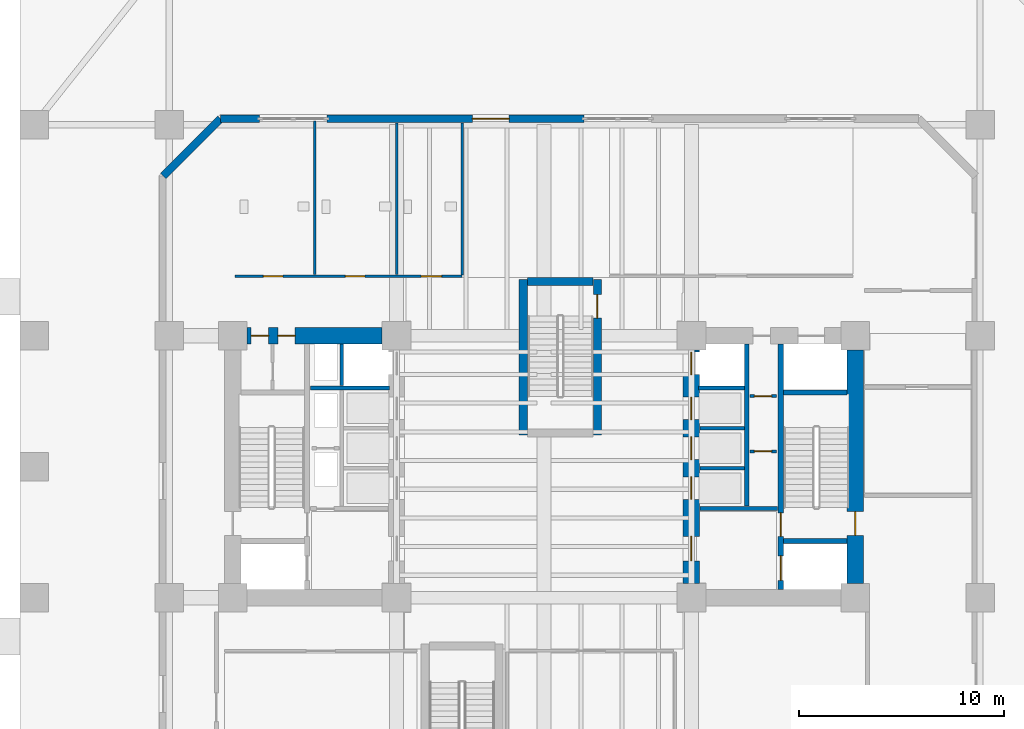
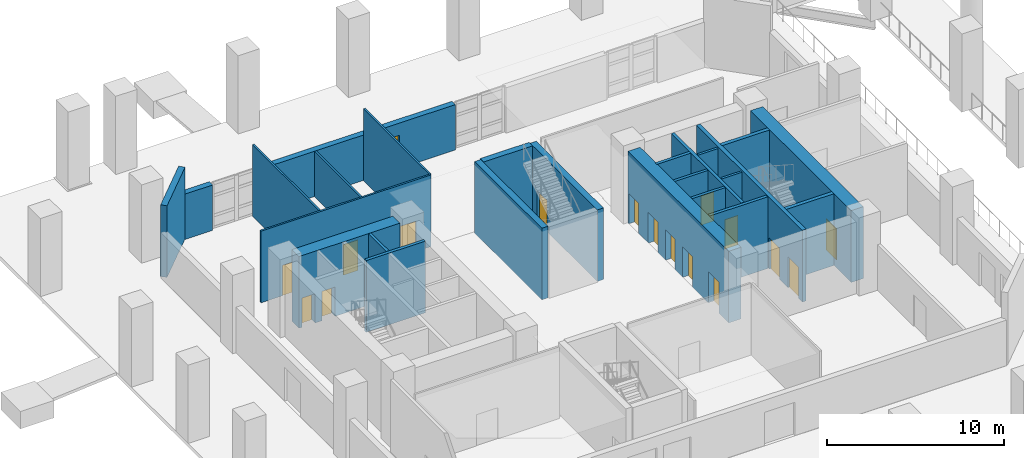
# One storey, part 5 of 12: 25 walls, 17 doors, 17 openings.
"""IFC4 building model written with IfcOpenShell, lengths in metres."""

import ifcopenshell
import ifcopenshell.guid

model = None  # the IFC model being written
_history = None  # IfcOwnerHistory: only IFC2X3 demands one
_inside = {}  # id of a spatial element -> (the spatial element, [elements in it])
_under = {}  # id of a project, library or spatial element -> (it, [spatial elements below it])
_declared = {}  # id of a project -> (the project, [libraries it declares])
_typed = {}  # id of a type object -> (the type object, [elements of that type])
_made_of = {}  # id of a material, layer set ... -> (it, [elements and type objects made of it])


def new_model(schema):
    """Start an empty IFC model of exactly this schema.

    Asked for "IFC4X3", IfcOpenShell would pick the latest addendum, in which some entities
    have other attributes; the version numbers below select the first issue.
    IFC2X3 requires an IfcOwnerHistory on every rooted entity: one is made here for all.
    """
    global model, _history
    if schema == "IFC4X3":
        model = ifcopenshell.file(schema_version=(4, 3, 0, 0))
    else:
        model = ifcopenshell.file(schema=schema)
    _inside.clear()
    _under.clear()
    _declared.clear()
    _typed.clear()
    _made_of.clear()
    _history = None
    if model.schema == "IFC2X3":
        org = make("IfcOrganization", Name="unknown")
        user = make(
            "IfcPersonAndOrganization",
            ThePerson=make("IfcPerson", FamilyName="unknown"),
            TheOrganization=org,
        )
        app = make(
            "IfcApplication",
            ApplicationDeveloper=org,
            Version="unknown",
            ApplicationFullName="unknown",
            ApplicationIdentifier="unknown",
        )
        _history = make(
            "IfcOwnerHistory",
            OwningUser=user,
            OwningApplication=app,
            ChangeAction="ADDED",
            CreationDate=0,
        )
    return model


def make(cls, **values):
    """One entity of the class cls with the attributes given. An attribute that is None is left unset."""
    return model.create_entity(
        cls, **{name: value for name, value in values.items() if value is not None}
    )


def rooted(cls, **values):
    """An entity with a GlobalId (a new one), such as an element, a storey or a relation."""
    return make(cls, GlobalId=ifcopenshell.guid.new(), OwnerHistory=_history, **values)


def si_unit(unit_type, name, prefix=None):
    """IfcSIUnit, for example si_unit("LENGTHUNIT", "METRE", prefix="MILLI")."""
    return make("IfcSIUnit", UnitType=unit_type, Prefix=prefix, Name=name)


def assignment(units):
    """IfcUnitAssignment: the units of a project."""
    return None if units is None else make("IfcUnitAssignment", Units=units)


def point(xyz):
    """IfcCartesianPoint."""
    return None if xyz is None else make("IfcCartesianPoint", Coordinates=xyz)


def direction(xyz):
    """IfcDirection."""
    return None if xyz is None else make("IfcDirection", DirectionRatios=xyz)


def frame(location, z_axis=None, x_axis=None):
    """IfcAxis2Placement3D, a coordinate frame: its origin and axes. An axis left out is left unset."""
    return make(
        "IfcAxis2Placement3D",
        Location=point(location),
        Axis=direction(z_axis),
        RefDirection=direction(x_axis),
    )


def frame_2d(location, x_axis=None):
    """IfcAxis2Placement2D, a coordinate frame in the plane: its origin and x axis."""
    return make(
        "IfcAxis2Placement2D", Location=point(location), RefDirection=direction(x_axis)
    )


def origin():
    """The frame at (0, 0, 0) with its axes left unset."""
    return frame((0.0, 0.0, 0.0))


def place(relative_to, where):
    """IfcLocalPlacement: puts the frame where relative to a parent placement (None: the world)."""
    return make(
        "IfcLocalPlacement", PlacementRelTo=relative_to, RelativePlacement=where
    )


def context(
    kind, dimensions, precision=None, world=None, true_north=None, identifier=None
):
    """IfcGeometricRepresentationContext, for example the 3D "Model" context."""
    return make(
        "IfcGeometricRepresentationContext",
        ContextIdentifier=identifier,
        ContextType=kind,
        CoordinateSpaceDimension=dimensions,
        Precision=precision,
        WorldCoordinateSystem=world,
        TrueNorth=true_north,
    )


def subcontext(parent, identifier, kind, view, scale=None):
    """IfcGeometricRepresentationSubContext, for example "Body" below "Model"."""
    return make(
        "IfcGeometricRepresentationSubContext",
        ContextIdentifier=identifier,
        ContextType=kind,
        ParentContext=parent,
        TargetScale=scale,
        TargetView=view,
    )


def project(units=None, contexts=None):
    """IfcProject with its units and contexts."""
    return rooted(
        "IfcProject",
        Name="project",
        RepresentationContexts=contexts,
        UnitsInContext=assignment(units),
    )


def spatial(cls, under=None, at=None, **own):
    """A site, building, storey or space (cls), placed at a placement, below another one or the project."""
    s = rooted(cls, ObjectPlacement=at, **own)
    if under is not None:
        _under.setdefault(under.id(), (under, []))[1].append(s)
    return s


def profile(cls, at=None, kind="AREA", **sizes):
    """A parametric profile (cls). Its sizes go by their IFC names, for example OverallWidth=200.0."""
    return make(cls, ProfileType=kind, Position=at, **sizes)


def rectangle(**sizes):
    """IfcRectangleProfileDef."""
    return profile("IfcRectangleProfileDef", **sizes)


def extrude(swept, where, along, depth):
    """IfcExtrudedAreaSolid: the profile swept, set in the frame where, extruded along a direction by depth."""
    return make(
        "IfcExtrudedAreaSolid",
        SweptArea=swept,
        Position=where,
        ExtrudedDirection=direction(along),
        Depth=depth,
    )


def shape(context_of_items, identifier, shape_type, items):
    """IfcShapeRepresentation: the items that make up one representation, for example the "Body"."""
    return make(
        "IfcShapeRepresentation",
        ContextOfItems=context_of_items,
        RepresentationIdentifier=identifier,
        RepresentationType=shape_type,
        Items=items,
    )


def material(Name=None, Category=None):
    """IfcMaterial."""
    return make("IfcMaterial", Name=Name, Category=Category)


def layer(
    of_material, thickness, ventilated=None, Name=None, Category=None, Priority=None
):
    """IfcMaterialLayer: one layer of a wall or slab, of a material (None: an air gap)."""
    return make(
        "IfcMaterialLayer",
        Material=of_material,
        LayerThickness=thickness,
        IsVentilated=ventilated,
        Name=Name,
        Category=Category,
        Priority=Priority,
    )


def layer_set(layers, Name=None):
    """IfcMaterialLayerSet."""
    return make("IfcMaterialLayerSet", MaterialLayers=layers, LayerSetName=Name)


def made_of(thing, what):
    """Note that an element or type object is made of a material, layer set ...; save() writes the relation."""
    if what is not None:
        _made_of.setdefault(what.id(), (what, []))[1].append(thing)
    return thing


def type_object(cls, material=None, **own):
    """A type object (cls), such as IfcWallType, which elements share."""
    return made_of(rooted(cls, **own), material)


def element(
    cls,
    number,
    at=None,
    inside=None,
    cuts=None,
    type_object=None,
    material=None,
    context=None,
    identifier="Body",
    shape_type=None,
    held_by="IfcProductDefinitionShape",
    body=None,
    shapes=None,
    **own,
):
    """One element of the class cls, such as IfcWall. Its Tag is "e" and its number.

    at: its placement. inside: the storey or other place that contains it. cuts: it is an
    opening in that element (IfcRelVoidsElement). A single representation is given by context,
    identifier, shape_type and body (its items); several are given by shapes. held_by: the class
    of the entity that holds the representations. save() writes the other relations.
    """
    e = rooted(cls, Tag="e%d" % number, ObjectPlacement=at, **own)
    if body is not None:
        shapes = [shape(context, identifier, shape_type, body)]
    if shapes is not None:
        e.Representation = make(held_by, Representations=shapes)
    if inside is not None:
        _inside.setdefault(inside.id(), (inside, []))[1].append(e)
    if cuts is not None:
        rooted(
            "IfcRelVoidsElement", RelatingBuildingElement=cuts, RelatedOpeningElement=e
        )
    if type_object is not None:
        _typed.setdefault(type_object.id(), (type_object, []))[1].append(e)
    return made_of(e, material)


def fill(opening, filler):
    """IfcRelFillsElement: the door or window that sits in an opening."""
    return rooted(
        "IfcRelFillsElement",
        RelatingOpeningElement=opening,
        RelatedBuildingElement=filler,
    )


def aggregate(whole, parts):
    """IfcRelAggregates: a whole, such as a stair, and the parts it consists of."""
    return rooted("IfcRelAggregates", RelatingObject=whole, RelatedObjects=parts)


def save(model, path):
    """Write the relations noted so far, then the file.

    IfcRelAggregates (storeys below a building ...), IfcRelContainedInSpatialStructure (elements
    in a storey), IfcRelDefinesByType, IfcRelAssociatesMaterial and IfcRelDeclares: one each for
    every whole, place, type object, material and project.
    """
    for whole, parts in _under.values():
        aggregate(whole, parts)
    for where, things in _inside.values():
        rooted(
            "IfcRelContainedInSpatialStructure",
            RelatedElements=things,
            RelatingStructure=where,
        )
    for kind, things in _typed.values():
        rooted("IfcRelDefinesByType", RelatedObjects=things, RelatingType=kind)
    for what, things in _made_of.values():
        rooted("IfcRelAssociatesMaterial", RelatedObjects=things, RelatingMaterial=what)
    for by, libraries in _declared.values():
        rooted("IfcRelDeclares", RelatingContext=by, RelatedDefinitions=libraries)
    model.write(path)


model = new_model("IFC4")

# Units and contexts
model_context = context("Model", 3, precision=1e-05, world=origin(), true_north=direction((0.0, 1.0)))
body_context = subcontext(model_context, "Body", "Model", "MODEL_VIEW")
ifc_project = project(units=[si_unit("LENGTHUNIT", "METRE"), si_unit("AREAUNIT", "SQUARE_METRE"), si_unit("VOLUMEUNIT", "CUBIC_METRE"), si_unit("PLANEANGLEUNIT", "RADIAN"), si_unit("MASSUNIT", "GRAM", prefix="KILO")], contexts=[model_context])

# Site, building, storey
site_placement = place(None, origin())
site = spatial("IfcSite", under=ifc_project, at=site_placement, CompositionType="ELEMENT")
building_placement = place(site_placement, origin())
building = spatial("IfcBuilding", under=site, at=building_placement, Name="Kranthara Brick Stack", CompositionType="ELEMENT")
storey_placement = place(building_placement, origin())
storey = spatial("IfcBuildingStorey", under=building, at=storey_placement, Name="L00", CompositionType="ELEMENT", Elevation=0.0)

# Walls
ifc_material_1 = material(Name="Kiln-fired clay brick masonry M15", Category="masonry")
ifc_layer_1 = layer(ifc_material_1, 0.3798828125)
ifc_layer_set_1 = layer_set([ifc_layer_1], Name="Kiln-fired clay brick masonry M15")
wall_type_1 = type_object("IfcWallType", Name="WL-BRK-PIER-380", PredefinedType="STANDARD", material=ifc_layer_set_1)
wall_1_placement = place(storey_placement, frame((9.409912109375, 41.39990234375, 0.0), z_axis=(0.0, 0.0, 1.0), x_axis=(0.707106781187, 0.707106781187, 0.0)))
element("IfcWall", 1, at=wall_1_placement, inside=storey, type_object=wall_type_1, Name="L00 Exterior Brick Facade Wall NW 1", PredefinedType="STANDARD", context=body_context, shape_type="SweptSolid", body=[
    extrude(rectangle(XDim=3.94580078125, YDim=0.3798828125, at=frame_2d((1.972900390625, 0.0))), origin(), (0.0, 0.0, 1.0), 4.949951171875),
])
wall_2_placement = place(storey_placement, frame((12.199951171875, 44.18994140625, 0.0), z_axis=(0.0, 0.0, 1.0), x_axis=(1.0, 0.0, 0.0)))
element("IfcWall", 2, at=wall_2_placement, inside=storey, type_object=wall_type_1, Name="L00 Exterior Brick Facade Wall NORTH 1", PredefinedType="STANDARD", context=body_context, shape_type="SweptSolid", body=[
    extrude(rectangle(XDim=1.900146484375, YDim=0.3798828125, at=frame_2d((0.9501953125, 0.0))), origin(), (0.0, 0.0, 1.0), 3.135009765625),
])

# Wall, opening, door
wall_3_placement = place(storey_placement, frame((17.39990234375, 44.18994140625, 0.0), z_axis=(0.0, 0.0, 1.0), x_axis=(1.0, 0.0, 0.0)))
wall_3 = element("IfcWall", 3, at=wall_3_placement, inside=storey, type_object=wall_type_1, Name="L00 Exterior Brick Facade Wall NORTH 2", PredefinedType="STANDARD", context=body_context, shape_type="SweptSolid", body=[
    extrude(rectangle(XDim=12.550048828125, YDim=0.3798828125, at=frame_2d((6.27490234375, 0.0))), origin(), (0.0, 0.0, 1.0), 3.135009765625),
])
opening_1_placement = place(wall_3_placement, frame((7.10009765625, 0.0, 0.0)))
opening_1 = element("IfcOpeningElement", 4, at=opening_1_placement, cuts=wall_3, Name="Opening ED01", PredefinedType="OPENING", context=body_context, shape_type="SweptSolid", body=[
    extrude(rectangle(XDim=1.800048828125, YDim=2.300048828125, at=frame_2d((0.89990234375, 1.14990234375))), frame((0.0, 0.199951171875, 0.0), z_axis=(0.0, -1.0, 0.0), x_axis=(1.0, 0.0, 0.0)), (0.0, 0.0, 1.0), 0.39990234375),
])
ifc_material_2 = material(Name="Bronze anodised aluminium and laminated glass", Category="aluminium")
door_type_1 = type_object("IfcDoorType", Name="DR-EXIT-1800", OperationType="DOUBLE_DOOR_SINGLE_SWING", PredefinedType="DOOR", material=ifc_material_2)
door_1_placement = place(opening_1_placement, origin())
door_1 = element("IfcDoor", 5, at=door_1_placement, inside=storey, type_object=door_type_1, Name="L00 North Final Exit Discharge Door ED-06", OperationType="DOUBLE_DOOR_SINGLE_SWING", OverallHeight=2.300048828125, OverallWidth=1.800048828125, PredefinedType="DOOR", context=body_context, shape_type="SweptSolid", body=[
    extrude(rectangle(XDim=1.800048828125, YDim=2.300048828125, at=frame_2d((0.89990234375, 1.14990234375))), frame((0.0, 0.02490234375, 0.0), z_axis=(0.0, -1.0, 0.0), x_axis=(1.0, 0.0, 0.0)), (0.0, 0.0, 1.0), 0.050048828125),
])
fill(opening_1, door_1)

# Wall, openings, doors
ifc_material_3 = material(Name="Concrete C50/60", Category="concrete")
ifc_layer_2 = layer(ifc_material_3, 0.25)
ifc_layer_set_2 = layer_set([ifc_layer_2], Name="Concrete C50/60")
wall_type_2 = type_object("IfcWallType", Name="WL-CORE-250", PredefinedType="SHEAR", material=ifc_layer_set_2)
wall_4_placement = place(storey_placement, frame((39.56494140625, 21.2099609375, 0.0), z_axis=(0.0, 0.0, 1.0), x_axis=(0.0, 1.0, 0.0)))
wall_4 = element("IfcWall", 6, at=wall_4_placement, inside=storey, type_object=wall_type_2, Name="L00 East Core Stair Bearing Spine Wall", PredefinedType="SHEAR", context=body_context, shape_type="SweptSolid", body=[
    extrude(rectangle(XDim=11.97998046875, YDim=0.25, at=frame_2d((5.989990234375, 0.0))), origin(), (0.0, 0.0, 1.0), 4.949951171875),
])
opening_2_placement = place(wall_4_placement, frame((0.43994140625, 0.0, 0.0)))
opening_2 = element("IfcOpeningElement", 7, at=opening_2_placement, cuts=wall_4, Name="Opening LD01", PredefinedType="OPENING", context=body_context, shape_type="SweptSolid", body=[
    extrude(rectangle(XDim=1.199951171875, YDim=2.14990234375, at=frame_2d((0.60009765625, 1.074951171875))), frame((0.0, 0.135009765625, 0.0), z_axis=(0.0, -1.0, 0.0), x_axis=(1.0, 0.0, 0.0)), (0.0, 0.0, 1.0), 0.27001953125),
])
opening_3_placement = place(wall_4_placement, frame((2.590087890625, 0.0, 0.0)))
opening_3 = element("IfcOpeningElement", 8, at=opening_3_placement, cuts=wall_4, Name="Opening D05", PredefinedType="OPENING", context=body_context, shape_type="SweptSolid", body=[
    extrude(rectangle(XDim=1.14990234375, YDim=2.14990234375, at=frame_2d((0.574951171875, 1.074951171875))), frame((0.0, 0.135009765625, 0.0), z_axis=(0.0, -1.0, 0.0), x_axis=(1.0, 0.0, 0.0)), (0.0, 0.0, 1.0), 0.27001953125),
])
ifc_material_4 = material(Name="Stainless steel sliding landing door", Category="steel")
door_type_2 = type_object("IfcDoorType", Name="DR-LD-FF1200", OperationType="DOUBLE_DOOR_SLIDING", PredefinedType="DOOR", material=ifc_material_4)
door_2_placement = place(opening_2_placement, origin())
door_2 = element("IfcDoor", 9, at=door_2_placement, inside=storey, type_object=door_type_2, Name="L00 Firefighting Lift FF-02 Landing Door", OperationType="DOUBLE_DOOR_SLIDING", OverallHeight=2.14990234375, OverallWidth=1.199951171875, PredefinedType="DOOR", context=body_context, shape_type="SweptSolid", body=[
    extrude(rectangle(XDim=1.199951171875, YDim=2.14990234375, at=frame_2d((0.60009765625, 1.074951171875))), frame((0.0, 0.02490234375, 0.0), z_axis=(0.0, -1.0, 0.0), x_axis=(1.0, 0.0, 0.0)), (0.0, 0.0, 1.0), 0.050048828125),
])
fill(opening_2, door_2)
ifc_material_5 = material(Name="Solid-core hardwood timber leaf in steel frame", Category="steel")
door_type_3 = type_object("IfcDoorType", Name="DR-ST-1150", OperationType="NOTDEFINED", PredefinedType="DOOR", material=ifc_material_5)
door_3_placement = place(opening_3_placement, origin())
door_3 = element("IfcDoor", 10, at=door_3_placement, inside=storey, type_object=door_type_3, Name="L00 Exit Stair ST02 Door", OperationType="SINGLE_SWING_LEFT", OverallHeight=2.14990234375, OverallWidth=1.14990234375, PredefinedType="DOOR", context=body_context, shape_type="SweptSolid", body=[
    extrude(rectangle(XDim=1.14990234375, YDim=2.14990234375, at=frame_2d((0.574951171875, 1.074951171875))), frame((0.0, 0.02490234375, 0.0), z_axis=(0.0, -1.0, 0.0), x_axis=(1.0, 0.0, 0.0)), (0.0, 0.0, 1.0), 0.050048828125),
])
fill(opening_3, door_3)

# Walls
for number, where, z_axis, x_axis, name in (
    (11, (39.68994140625, 23.570068359375, 0.0), (0.0, 0.0, 1.0), (1.0, 0.0, 0.0), "L00 East Stairwell Bearing Wall EFF"),
    (12, (39.68994140625, 30.830078125, 0.0), (0.0, 0.0, 1.0), (1.0, 0.0, 0.0), "L00 East Stairwell Bearing Wall EST"),
):
    element("IfcWall", number, at=place(storey_placement, frame(where, z_axis=z_axis, x_axis=x_axis)), inside=storey, type_object=wall_type_2, Name=name, PredefinedType="SHEAR", context=body_context, shape_type="SweptSolid", body=[
        extrude(rectangle(XDim=3.10009765625, YDim=0.25, at=frame_2d((1.550048828125, 0.0))), origin(), (0.0, 0.0, 1.0), 4.949951171875),
    ])
ifc_material_6 = material(Name="Concrete C50/60", Category="concrete")
ifc_layer_3 = layer(ifc_material_6, 0.39990234375)
ifc_layer_set_3 = layer_set([ifc_layer_3], Name="Concrete C50/60")
wall_type_3 = type_object("IfcWallType", Name="WL-CORE-400", PredefinedType="SHEAR", material=ifc_layer_set_3)
wall_5_placement = place(storey_placement, frame((26.989990234375, 28.75, 0.0), z_axis=(0.0, 0.0, 1.0), x_axis=(0.0, 1.0, 0.0)))
element("IfcWall", 13, at=wall_5_placement, inside=storey, type_object=wall_type_3, Name="L00 Stair ST04 Bearing Wall W", PredefinedType="SHEAR", context=body_context, shape_type="SweptSolid", body=[
    extrude(rectangle(XDim=7.60009765625, YDim=0.39990234375, at=frame_2d((3.800048828125, 0.0))), origin(), (0.0, 0.0, 1.0), 4.949951171875),
])

# Wall, opening, door
wall_6_placement = place(storey_placement, frame((30.610107421875, 28.75, 0.0), z_axis=(0.0, 0.0, 1.0), x_axis=(0.0, 1.0, 0.0)))
wall_6 = element("IfcWall", 14, at=wall_6_placement, inside=storey, type_object=wall_type_3, Name="L00 Stair ST04 Bearing Wall E", PredefinedType="SHEAR", context=body_context, shape_type="SweptSolid", body=[
    extrude(rectangle(XDim=7.60009765625, YDim=0.39990234375, at=frame_2d((3.800048828125, 0.0))), origin(), (0.0, 0.0, 1.0), 4.949951171875),
])
opening_4_placement = place(wall_6_placement, frame((5.699951171875, 0.0, 0.0)))
opening_4 = element("IfcOpeningElement", 15, at=opening_4_placement, cuts=wall_6, Name="Opening D05", PredefinedType="OPENING", context=body_context, shape_type="SweptSolid", body=[
    extrude(rectangle(XDim=1.14990234375, YDim=2.14990234375, at=frame_2d((0.574951171875, 1.074951171875))), frame((0.0, 0.2099609375, 0.0), z_axis=(0.0, -1.0, 0.0), x_axis=(1.0, 0.0, 0.0)), (0.0, 0.0, 1.0), 0.419921875),
])
door_4_placement = place(opening_4_placement, origin())
door_4 = element("IfcDoor", 16, at=door_4_placement, inside=storey, type_object=door_type_3, Name="L00 Stair ST04 Door", OperationType="SINGLE_SWING_RIGHT", OverallHeight=2.14990234375, OverallWidth=1.14990234375, PredefinedType="DOOR", context=body_context, shape_type="SweptSolid", body=[
    extrude(rectangle(XDim=1.14990234375, YDim=2.14990234375, at=frame_2d((0.574951171875, 1.074951171875))), frame((0.0, 0.02490234375, 0.0), z_axis=(0.0, -1.0, 0.0), x_axis=(1.0, 0.0, 0.0)), (0.0, 0.0, 1.0), 0.050048828125),
])
fill(opening_4, door_4)

# Wall
wall_7_placement = place(storey_placement, frame((27.199951171875, 36.25, 0.0), z_axis=(0.0, 0.0, 1.0), x_axis=(1.0, 0.0, 0.0)))
element("IfcWall", 17, at=wall_7_placement, inside=storey, type_object=wall_type_3, Name="L00 Stair ST04 Bearing Wall N", PredefinedType="SHEAR", context=body_context, shape_type="SweptSolid", body=[
    extrude(rectangle(XDim=3.199951171875, YDim=0.39990234375, at=frame_2d((1.60009765625, 0.0))), origin(), (0.0, 0.0, 1.0), 4.949951171875),
])

# Wall, openings, doors
ifc_material_7 = material(Name="Concrete C70/85", Category="concrete")
ifc_layer_4 = layer(ifc_material_7, 0.800048828125)
ifc_layer_set_4 = layer_set([ifc_layer_4], Name="Concrete C70/85")
wall_type_4 = type_object("IfcWallType", Name="WL-CORE-800", PredefinedType="SHEAR", material=ifc_layer_set_4)
wall_8_placement = place(storey_placement, frame((13.5048828125, 33.60009765625, 0.0), z_axis=(0.0, 0.0, 1.0), x_axis=(1.0, 0.0, 0.0)))
wall_8 = element("IfcWall", 18, at=wall_8_placement, inside=storey, type_object=wall_type_4, Name="L00 West Core Shear Wall North", PredefinedType="SHEAR", context=body_context, shape_type="SweptSolid", body=[
    extrude(rectangle(XDim=6.590087890625, YDim=0.800048828125, at=frame_2d((3.294921875, 0.0))), origin(), (0.0, 0.0, 1.0), 4.949951171875),
])
opening_5_placement = place(wall_8_placement, frame((0.195068359375, 0.0, 0.0)))
opening_5 = element("IfcOpeningElement", 19, at=opening_5_placement, cuts=wall_8, Name="Opening D10", PredefinedType="OPENING", context=body_context, shape_type="SweptSolid", body=[
    extrude(rectangle(XDim=0.85009765625, YDim=2.02001953125, at=frame_2d((0.425048828125, 1.010009765625))), frame((0.0, 0.409912109375, 0.0), z_axis=(0.0, -1.0, 0.0), x_axis=(1.0, 0.0, 0.0)), (0.0, 0.0, 1.0), 0.820068359375),
])
opening_6_placement = place(wall_8_placement, frame((1.4951171875, 0.0, 0.0)))
opening_6 = element("IfcOpeningElement", 20, at=opening_6_placement, cuts=wall_8, Name="Opening D10", PredefinedType="OPENING", context=body_context, shape_type="SweptSolid", body=[
    extrude(rectangle(XDim=0.85009765625, YDim=2.02001953125, at=frame_2d((0.425048828125, 1.010009765625))), frame((0.0, 0.409912109375, 0.0), z_axis=(0.0, -1.0, 0.0), x_axis=(1.0, 0.0, 0.0)), (0.0, 0.0, 1.0), 0.820068359375),
])
ifc_material_8 = material(Name="Solid-core hardwood timber leaf in steel frame", Category="steel")
door_type_4 = type_object("IfcDoorType", Name="DR-RSR-850", OperationType="NOTDEFINED", PredefinedType="DOOR", material=ifc_material_8)
door_5_placement = place(opening_5_placement, origin())
door_5 = element("IfcDoor", 21, at=door_5_placement, inside=storey, type_object=door_type_4, Name="L00 West Core Service Door 1", OperationType="SINGLE_SWING_LEFT", OverallHeight=2.02001953125, OverallWidth=0.85009765625, PredefinedType="DOOR", context=body_context, shape_type="SweptSolid", body=[
    extrude(rectangle(XDim=0.85009765625, YDim=2.02001953125, at=frame_2d((0.425048828125, 1.010009765625))), frame((0.0, 0.02490234375, 0.0), z_axis=(0.0, -1.0, 0.0), x_axis=(1.0, 0.0, 0.0)), (0.0, 0.0, 1.0), 0.050048828125),
])
fill(opening_5, door_5)
door_6_placement = place(opening_6_placement, origin())
door_6 = element("IfcDoor", 22, at=door_6_placement, inside=storey, type_object=door_type_4, Name="L00 West Core Service Door 2", OperationType="SINGLE_SWING_RIGHT", OverallHeight=2.02001953125, OverallWidth=0.85009765625, PredefinedType="DOOR", context=body_context, shape_type="SweptSolid", body=[
    extrude(rectangle(XDim=0.85009765625, YDim=2.02001953125, at=frame_2d((0.425048828125, 1.010009765625))), frame((0.0, 0.02490234375, 0.0), z_axis=(0.0, -1.0, 0.0), x_axis=(1.0, 0.0, 0.0)), (0.0, 0.0, 1.0), 0.050048828125),
])
fill(opening_6, door_6)

# Wall, opening, door
wall_9_placement = place(storey_placement, frame((43.199951171875, 21.5048828125, 0.0), z_axis=(0.0, 0.0, 1.0), x_axis=(0.0, 1.0, 0.0)))
wall_9 = element("IfcWall", 23, at=wall_9_placement, inside=storey, type_object=wall_type_4, Name="L00 East Core Shear Wall East", PredefinedType="SHEAR", context=body_context, shape_type="SweptSolid", body=[
    extrude(rectangle(XDim=11.39013671875, YDim=0.800048828125, at=frame_2d((5.695068359375, 0.0))), origin(), (0.0, 0.0, 1.0), 4.949951171875),
])
opening_7_placement = place(wall_9_placement, frame((2.344970703125, 0.0, 0.0)))
opening_7 = element("IfcOpeningElement", 24, at=opening_7_placement, cuts=wall_9, Name="Opening D05", PredefinedType="OPENING", context=body_context, shape_type="SweptSolid", body=[
    extrude(rectangle(XDim=1.14990234375, YDim=2.14990234375, at=frame_2d((0.574951171875, 1.074951171875))), frame((0.0, 0.409912109375, 0.0), z_axis=(0.0, -1.0, 0.0), x_axis=(1.0, 0.0, 0.0)), (0.0, 0.0, 1.0), 0.820068359375),
])
door_7_placement = place(opening_7_placement, origin())
door_7 = element("IfcDoor", 25, at=door_7_placement, inside=storey, type_object=door_type_3, Name="L00 Exit Stair ST02 Protected Discharge Door", OperationType="SINGLE_SWING_RIGHT", OverallHeight=2.14990234375, OverallWidth=1.14990234375, PredefinedType="DOOR", context=body_context, shape_type="SweptSolid", body=[
    extrude(rectangle(XDim=1.14990234375, YDim=2.14990234375, at=frame_2d((0.574951171875, 1.074951171875))), frame((0.0, 0.02490234375, 0.0), z_axis=(0.0, -1.0, 0.0), x_axis=(1.0, 0.0, 0.0)), (0.0, 0.0, 1.0), 0.050048828125),
])
fill(opening_7, door_7)

# Wall, openings, doors
wall_10_placement = place(storey_placement, frame((35.199951171875, 21.5048828125, 0.0), z_axis=(0.0, 0.0, 1.0), x_axis=(0.0, 1.0, 0.0)))
wall_10 = element("IfcWall", 26, at=wall_10_placement, inside=storey, type_object=wall_type_4, Name="L00 East Core Shear Wall West", PredefinedType="SHEAR", context=body_context, shape_type="SweptSolid", body=[
    extrude(rectangle(XDim=11.39013671875, YDim=0.800048828125, at=frame_2d((5.695068359375, 0.0))), origin(), (0.0, 0.0, 1.0), 4.949951171875),
])
opening_8_placement = place(wall_10_placement, frame((1.094970703125, 0.0, 0.0)))
opening_8 = element("IfcOpeningElement", 27, at=opening_8_placement, cuts=wall_10, Name="Opening D06", PredefinedType="OPENING", context=body_context, shape_type="SweptSolid", body=[
    extrude(rectangle(XDim=1.199951171875, YDim=2.14990234375, at=frame_2d((0.60009765625, 1.074951171875))), frame((0.0, 0.409912109375, 0.0), z_axis=(0.0, -1.0, 0.0), x_axis=(1.0, 0.0, 0.0)), (0.0, 0.0, 1.0), 0.820068359375),
])
opening_9_placement = place(wall_10_placement, frame((4.094970703125, 0.0, 0.0)))
opening_9 = element("IfcOpeningElement", 28, at=opening_9_placement, cuts=wall_10, Name="Opening LD02", PredefinedType="OPENING", context=body_context, shape_type="SweptSolid", body=[
    extrude(rectangle(XDim=1.10009765625, YDim=2.10009765625, at=frame_2d((0.550048828125, 1.050048828125))), frame((0.0, 0.409912109375, 0.0), z_axis=(0.0, -1.0, 0.0), x_axis=(1.0, 0.0, 0.0)), (0.0, 0.0, 1.0), 0.820068359375),
])
opening_10_placement = place(wall_10_placement, frame((6.044921875, 0.0, 0.0)))
opening_10 = element("IfcOpeningElement", 29, at=opening_10_placement, cuts=wall_10, Name="Opening LD02", PredefinedType="OPENING", context=body_context, shape_type="SweptSolid", body=[
    extrude(rectangle(XDim=1.10009765625, YDim=2.10009765625, at=frame_2d((0.550048828125, 1.050048828125))), frame((0.0, 0.409912109375, 0.0), z_axis=(0.0, -1.0, 0.0), x_axis=(1.0, 0.0, 0.0)), (0.0, 0.0, 1.0), 0.820068359375),
])
opening_11_placement = place(wall_10_placement, frame((7.9951171875, 0.0, 0.0)))
opening_11 = element("IfcOpeningElement", 30, at=opening_11_placement, cuts=wall_10, Name="Opening LD02", PredefinedType="OPENING", context=body_context, shape_type="SweptSolid", body=[
    extrude(rectangle(XDim=1.10009765625, YDim=2.10009765625, at=frame_2d((0.550048828125, 1.050048828125))), frame((0.0, 0.409912109375, 0.0), z_axis=(0.0, -1.0, 0.0), x_axis=(1.0, 0.0, 0.0)), (0.0, 0.0, 1.0), 0.820068359375),
])
opening_12_placement = place(wall_10_placement, frame((10.195068359375, 0.0, 0.0)))
opening_12 = element("IfcOpeningElement", 31, at=opening_12_placement, cuts=wall_10, Name="Opening LD02", PredefinedType="OPENING", context=body_context, shape_type="SweptSolid", body=[
    extrude(rectangle(XDim=1.10009765625, YDim=2.10009765625, at=frame_2d((0.550048828125, 1.050048828125))), frame((0.0, 0.409912109375, 0.0), z_axis=(0.0, -1.0, 0.0), x_axis=(1.0, 0.0, 0.0)), (0.0, 0.0, 1.0), 0.820068359375),
])
ifc_material_9 = material(Name="Solid-core hardwood timber leaf in steel frame", Category="steel")
door_type_5 = type_object("IfcDoorType", Name="DR-FFL-1200", OperationType="NOTDEFINED", PredefinedType="DOOR", material=ifc_material_9)
door_8_placement = place(opening_8_placement, origin())
door_8 = element("IfcDoor", 32, at=door_8_placement, inside=storey, type_object=door_type_5, Name="L00 East Firefighting Lobby Door", OperationType="SINGLE_SWING_RIGHT", OverallHeight=2.14990234375, OverallWidth=1.199951171875, PredefinedType="DOOR", context=body_context, shape_type="SweptSolid", body=[
    extrude(rectangle(XDim=1.199951171875, YDim=2.14990234375, at=frame_2d((0.60009765625, 1.074951171875))), frame((0.0, 0.02490234375, 0.0), z_axis=(0.0, -1.0, 0.0), x_axis=(1.0, 0.0, 0.0)), (0.0, 0.0, 1.0), 0.050048828125),
])
fill(opening_8, door_8)
ifc_material_10 = material(Name="Stainless steel sliding landing door", Category="steel")
door_type_6 = type_object("IfcDoorType", Name="DR-LD-PL1100", OperationType="DOUBLE_DOOR_SLIDING", PredefinedType="DOOR", material=ifc_material_10)
door_9_placement = place(opening_9_placement, origin())
door_9 = element("IfcDoor", 33, at=door_9_placement, inside=storey, type_object=door_type_6, Name="L00 PL-04 Lift Landing Door", OperationType="DOUBLE_DOOR_SLIDING", OverallHeight=2.10009765625, OverallWidth=1.10009765625, PredefinedType="DOOR", context=body_context, shape_type="SweptSolid", body=[
    extrude(rectangle(XDim=1.10009765625, YDim=2.10009765625, at=frame_2d((0.550048828125, 1.050048828125))), frame((0.0, 0.02490234375, 0.0), z_axis=(0.0, -1.0, 0.0), x_axis=(1.0, 0.0, 0.0)), (0.0, 0.0, 1.0), 0.050048828125),
])
fill(opening_9, door_9)
door_10_placement = place(opening_10_placement, origin())
door_10 = element("IfcDoor", 34, at=door_10_placement, inside=storey, type_object=door_type_6, Name="L00 PL-05 Lift Landing Door", OperationType="DOUBLE_DOOR_SLIDING", OverallHeight=2.10009765625, OverallWidth=1.10009765625, PredefinedType="DOOR", context=body_context, shape_type="SweptSolid", body=[
    extrude(rectangle(XDim=1.10009765625, YDim=2.10009765625, at=frame_2d((0.550048828125, 1.050048828125))), frame((0.0, 0.02490234375, 0.0), z_axis=(0.0, -1.0, 0.0), x_axis=(1.0, 0.0, 0.0)), (0.0, 0.0, 1.0), 0.050048828125),
])
fill(opening_10, door_10)
door_11_placement = place(opening_11_placement, origin())
door_11 = element("IfcDoor", 35, at=door_11_placement, inside=storey, type_object=door_type_6, Name="L00 PL-06 Lift Landing Door", OperationType="DOUBLE_DOOR_SLIDING", OverallHeight=2.10009765625, OverallWidth=1.10009765625, PredefinedType="DOOR", context=body_context, shape_type="SweptSolid", body=[
    extrude(rectangle(XDim=1.10009765625, YDim=2.10009765625, at=frame_2d((0.550048828125, 1.050048828125))), frame((0.0, 0.02490234375, 0.0), z_axis=(0.0, -1.0, 0.0), x_axis=(1.0, 0.0, 0.0)), (0.0, 0.0, 1.0), 0.050048828125),
])
fill(opening_11, door_11)
door_12_placement = place(opening_12_placement, origin())
door_12 = element("IfcDoor", 36, at=door_12_placement, inside=storey, type_object=door_type_6, Name="L00 PL-08 Lift Landing Door", OperationType="DOUBLE_DOOR_SLIDING", OverallHeight=2.10009765625, OverallWidth=1.10009765625, PredefinedType="DOOR", context=body_context, shape_type="SweptSolid", body=[
    extrude(rectangle(XDim=1.10009765625, YDim=2.10009765625, at=frame_2d((0.550048828125, 1.050048828125))), frame((0.0, 0.02490234375, 0.0), z_axis=(0.0, -1.0, 0.0), x_axis=(1.0, 0.0, 0.0)), (0.0, 0.0, 1.0), 0.050048828125),
])
fill(opening_12, door_12)

ifc_material_11 = material(Name="Acoustic gypsum plasterboard partition", Category="other")
ifc_layer_5 = layer(ifc_material_11, 0.1201171875)
ifc_layer_set_5 = layer_set([ifc_layer_5], Name="Acoustic gypsum plasterboard partition")
wall_type_5 = type_object("IfcWallType", Name="WL-PART-120", PredefinedType="PARTITIONING", material=ifc_layer_set_5)
wall_11_placement = place(storey_placement, frame((12.89990234375, 36.5, 0.0), z_axis=(0.0, 0.0, 1.0), x_axis=(1.0, 0.0, 0.0)))
wall_11 = element("IfcWall", 37, at=wall_11_placement, inside=storey, type_object=wall_type_5, Name="L00 Interior Partition 014", PredefinedType="PARTITIONING", context=body_context, shape_type="SweptSolid", body=[
    extrude(rectangle(XDim=11.10009765625, YDim=0.1201171875, at=frame_2d((5.550048828125, 0.0))), origin(), (0.0, 0.0, 1.0), 4.949951171875),
])
opening_13_placement = place(wall_11_placement, frame((1.39990234375, 0.0, 0.0)))
opening_13 = element("IfcOpeningElement", 38, at=opening_13_placement, cuts=wall_11, Name="Opening D14", PredefinedType="OPENING", context=body_context, shape_type="SweptSolid", body=[
    extrude(rectangle(XDim=0.949951171875, YDim=2.10009765625, at=frame_2d((0.47509765625, 1.050048828125))), frame((0.0, 0.070068359375, 0.0), z_axis=(0.0, -1.0, 0.0), x_axis=(1.0, 0.0, 0.0)), (0.0, 0.0, 1.0), 0.14013671875),
])
opening_14_placement = place(wall_11_placement, frame((5.39990234375, 0.0, 0.0)))
opening_14 = element("IfcOpeningElement", 39, at=opening_14_placement, cuts=wall_11, Name="Opening D14", PredefinedType="OPENING", context=body_context, shape_type="SweptSolid", body=[
    extrude(rectangle(XDim=0.949951171875, YDim=2.10009765625, at=frame_2d((0.47509765625, 1.050048828125))), frame((0.0, 0.070068359375, 0.0), z_axis=(0.0, -1.0, 0.0), x_axis=(1.0, 0.0, 0.0)), (0.0, 0.0, 1.0), 0.14013671875),
])
opening_15_placement = place(wall_11_placement, frame((9.10009765625, 0.0, 0.0)))
opening_15 = element("IfcOpeningElement", 40, at=opening_15_placement, cuts=wall_11, Name="Opening D18", PredefinedType="OPENING", context=body_context, shape_type="SweptSolid", body=[
    extrude(rectangle(XDim=1.0, YDim=2.10009765625, at=frame_2d((0.5, 1.050048828125))), frame((0.0, 0.070068359375, 0.0), z_axis=(0.0, -1.0, 0.0), x_axis=(1.0, 0.0, 0.0)), (0.0, 0.0, 1.0), 0.14013671875),
])
ifc_material_12 = material(Name="Solid-core hardwood timber leaf in steel frame", Category="steel")
door_type_7 = type_object("IfcDoorType", Name="DR-ACC-1000", OperationType="NOTDEFINED", PredefinedType="DOOR", material=ifc_material_12)
door_13_placement = place(opening_15_placement, origin())
door_13 = element("IfcDoor", 41, at=door_13_placement, inside=storey, type_object=door_type_7, Name="L00 Accessible WC Door 13", OperationType="SINGLE_SWING_LEFT", OverallHeight=2.10009765625, OverallWidth=1.0, PredefinedType="DOOR", context=body_context, shape_type="SweptSolid", body=[
    extrude(rectangle(XDim=1.0, YDim=2.10009765625, at=frame_2d((0.5, 1.050048828125))), frame((0.0, 0.02490234375, 0.0), z_axis=(0.0, -1.0, 0.0), x_axis=(1.0, 0.0, 0.0)), (0.0, 0.0, 1.0), 0.050048828125),
])
fill(opening_15, door_13)
ifc_material_13 = material(Name="Solid-core hardwood timber leaf in steel frame", Category="steel")
door_type_8 = type_object("IfcDoorType", Name="DR-INT-950", OperationType="NOTDEFINED", PredefinedType="DOOR", material=ifc_material_13)
door_14_placement = place(opening_13_placement, origin())
door_14 = element("IfcDoor", 42, at=door_14_placement, inside=storey, type_object=door_type_8, Name="L00 Male WC Door 11", OperationType="SINGLE_SWING_LEFT", OverallHeight=2.10009765625, OverallWidth=0.949951171875, PredefinedType="DOOR", context=body_context, shape_type="SweptSolid", body=[
    extrude(rectangle(XDim=0.949951171875, YDim=2.10009765625, at=frame_2d((0.47509765625, 1.050048828125))), frame((0.0, 0.02490234375, 0.0), z_axis=(0.0, -1.0, 0.0), x_axis=(1.0, 0.0, 0.0)), (0.0, 0.0, 1.0), 0.050048828125),
])
fill(opening_13, door_14)
door_15_placement = place(opening_14_placement, origin())
door_15 = element("IfcDoor", 43, at=door_15_placement, inside=storey, type_object=door_type_8, Name="L00 Female WC Door 12", OperationType="SINGLE_SWING_RIGHT", OverallHeight=2.10009765625, OverallWidth=0.949951171875, PredefinedType="DOOR", context=body_context, shape_type="SweptSolid", body=[
    extrude(rectangle(XDim=0.949951171875, YDim=2.10009765625, at=frame_2d((0.47509765625, 1.050048828125))), frame((0.0, 0.02490234375, 0.0), z_axis=(0.0, -1.0, 0.0), x_axis=(1.0, 0.0, 0.0)), (0.0, 0.0, 1.0), 0.050048828125),
])
fill(opening_14, door_15)

# Walls
wall_12_placement = place(storey_placement, frame((16.800048828125, 36.580078125, 0.0), z_axis=(0.0, 0.0, 1.0), x_axis=(0.0, 1.0, 0.0)))
element("IfcWall", 44, at=wall_12_placement, inside=storey, type_object=wall_type_5, Name="L00 Interior Partition 015", PredefinedType="PARTITIONING", context=body_context, shape_type="SweptSolid", body=[
    extrude(rectangle(XDim=7.494873046875, YDim=0.1201171875, at=frame_2d((3.74755859375, 0.0))), origin(), (0.0, 0.0, 1.0), 4.949951171875),
])
wall_13_placement = place(storey_placement, frame((20.800048828125, 36.580078125, 0.0), z_axis=(0.0, 0.0, 1.0), x_axis=(0.0, 1.0, 0.0)))
element("IfcWall", 45, at=wall_13_placement, inside=storey, type_object=wall_type_5, Name="L00 Interior Partition 016", PredefinedType="PARTITIONING", context=body_context, shape_type="SweptSolid", body=[
    extrude(rectangle(XDim=7.4150390625, YDim=0.1201171875, at=frame_2d((3.70751953125, 0.0))), origin(), (0.0, 0.0, 1.0), 3.135009765625),
])
wall_14_placement = place(storey_placement, frame((24.0, 36.56494140625, 0.0), z_axis=(0.0, 0.0, 1.0), x_axis=(0.0, 1.0, 0.0)))
element("IfcWall", 46, at=wall_14_placement, inside=storey, type_object=wall_type_5, Name="L00 Interior Partition 017", PredefinedType="PARTITIONING", context=body_context, shape_type="SweptSolid", body=[
    extrude(rectangle(XDim=7.43017578125, YDim=0.1201171875, at=frame_2d((3.715087890625, 0.0))), origin(), (0.0, 0.0, 1.0), 4.949951171875),
])

# Wall, opening, door
ifc_material_14 = material(Name="Fire-rated gypsum board partition", Category="other")
ifc_layer_6 = layer(ifc_material_14, 0.14990234375)
ifc_layer_set_6 = layer_set([ifc_layer_6], Name="Fire-rated gypsum board partition")
wall_type_6 = type_object("IfcWallType", Name="WL-PART-150", PredefinedType="PARTITIONING", material=ifc_layer_set_6)
wall_15_placement = place(storey_placement, frame((38.050048828125, 27.949951171875, 0.0), z_axis=(0.0, 0.0, 1.0), x_axis=(1.0, 0.0, 0.0)))
wall_15 = element("IfcWall", 47, at=wall_15_placement, inside=storey, type_object=wall_type_6, Name="L00 Interior Partition 002", PredefinedType="PARTITIONING", context=body_context, shape_type="SweptSolid", body=[
    extrude(rectangle(XDim=1.300048828125, YDim=0.14990234375, at=frame_2d((0.64990234375, 0.0))), origin(), (0.0, 0.0, 1.0), 4.949951171875),
])
opening_16_placement = place(wall_15_placement, frame((0.219970703125, 0.0, 0.0)))
opening_16 = element("IfcOpeningElement", 48, at=opening_16_placement, cuts=wall_15, Name="Opening D10", PredefinedType="OPENING", context=body_context, shape_type="SweptSolid", body=[
    extrude(rectangle(XDim=0.85009765625, YDim=2.02001953125, at=frame_2d((0.425048828125, 1.010009765625))), frame((0.0, 0.0849609375, 0.0), z_axis=(0.0, -1.0, 0.0), x_axis=(1.0, 0.0, 0.0)), (0.0, 0.0, 1.0), 0.169921875),
])
door_16_placement = place(opening_16_placement, origin())
door_16 = element("IfcDoor", 49, at=door_16_placement, inside=storey, type_object=door_type_4, Name="L00 Riser Door 1 02", OperationType="SINGLE_SWING_RIGHT", OverallHeight=2.02001953125, OverallWidth=0.85009765625, PredefinedType="DOOR", context=body_context, shape_type="SweptSolid", body=[
    extrude(rectangle(XDim=0.85009765625, YDim=2.02001953125, at=frame_2d((0.425048828125, 1.010009765625))), frame((0.0, 0.02490234375, 0.0), z_axis=(0.0, -1.0, 0.0), x_axis=(1.0, 0.0, 0.0)), (0.0, 0.0, 1.0), 0.050048828125),
])
fill(opening_16, door_16)

wall_16_placement = place(storey_placement, frame((38.050048828125, 30.64990234375, 0.0), z_axis=(0.0, 0.0, 1.0), x_axis=(1.0, 0.0, 0.0)))
wall_16 = element("IfcWall", 50, at=wall_16_placement, inside=storey, type_object=wall_type_6, Name="L00 Interior Partition 003", PredefinedType="PARTITIONING", context=body_context, shape_type="SweptSolid", body=[
    extrude(rectangle(XDim=1.300048828125, YDim=0.14990234375, at=frame_2d((0.64990234375, 0.0))), origin(), (0.0, 0.0, 1.0), 4.949951171875),
])
opening_17_placement = place(wall_16_placement, frame((0.219970703125, 0.0, 0.0)))
opening_17 = element("IfcOpeningElement", 51, at=opening_17_placement, cuts=wall_16, Name="Opening D10", PredefinedType="OPENING", context=body_context, shape_type="SweptSolid", body=[
    extrude(rectangle(XDim=0.85009765625, YDim=2.02001953125, at=frame_2d((0.425048828125, 1.010009765625))), frame((0.0, 0.0849609375, 0.0), z_axis=(0.0, -1.0, 0.0), x_axis=(1.0, 0.0, 0.0)), (0.0, 0.0, 1.0), 0.169921875),
])
door_17_placement = place(opening_17_placement, origin())
door_17 = element("IfcDoor", 52, at=door_17_placement, inside=storey, type_object=door_type_4, Name="L00 Riser Door 2 03", OperationType="SINGLE_SWING_LEFT", OverallHeight=2.02001953125, OverallWidth=0.85009765625, PredefinedType="DOOR", context=body_context, shape_type="SweptSolid", body=[
    extrude(rectangle(XDim=0.85009765625, YDim=2.02001953125, at=frame_2d((0.425048828125, 1.010009765625))), frame((0.0, 0.02490234375, 0.0), z_axis=(0.0, -1.0, 0.0), x_axis=(1.0, 0.0, 0.0)), (0.0, 0.0, 1.0), 0.050048828125),
])
fill(opening_17, door_17)

# Walls
ifc_material_15 = material(Name="Gypsum plasterboard on acoustic twin stud", Category="other")
ifc_layer_7 = layer(ifc_material_15, 0.179931640625)
ifc_layer_set_7 = layer_set([ifc_layer_7], Name="Gypsum plasterboard on acoustic twin stud")
wall_type_7 = type_object("IfcWallType", Name="WL-PART-180", PredefinedType="PARTITIONING", material=ifc_layer_set_7)
wall_17_placement = place(storey_placement, frame((18.1201171875, 31.169921875, 0.0), z_axis=(0.0, 0.0, 1.0), x_axis=(0.0, 1.0, 0.0)))
element("IfcWall", 53, at=wall_17_placement, inside=storey, type_object=wall_type_7, Name="L00 West Hoistway Wall WBK7", PredefinedType="PARTITIONING", context=body_context, shape_type="SweptSolid", body=[
    extrude(rectangle(XDim=2.02001953125, YDim=0.179931640625, at=frame_2d((1.010009765625, 0.0))), origin(), (0.0, 0.0, 1.0), 4.949951171875),
])
for number, where, z_axis, x_axis, name in (
    (54, (35.610107421875, 27.1201171875, 0.0), (0.0, 0.0, 1.0), (1.0, 0.0, 0.0), "L00 East Hoistway Wall EH1"),
    (55, (35.610107421875, 29.080078125, 0.0), (0.0, 0.0, 1.0), (1.0, 0.0, 0.0), "L00 East Hoistway Wall EH2"),
):
    element("IfcWall", number, at=place(storey_placement, frame(where, z_axis=z_axis, x_axis=x_axis)), inside=storey, type_object=wall_type_7, Name=name, PredefinedType="PARTITIONING", context=body_context, shape_type="SweptSolid", body=[
        extrude(rectangle(XDim=2.169921875, YDim=0.179931640625, at=frame_2d((1.0849609375, 0.0))), origin(), (0.0, 0.0, 1.0), 4.949951171875),
    ])
ifc_material_16 = material(Name="Concrete C40/50", Category="concrete")
ifc_layer_8 = layer(ifc_material_16, 0.199951171875)
ifc_layer_set_8 = layer_set([ifc_layer_8], Name="Concrete C40/50")
wall_type_8 = type_object("IfcWallType", Name="WL-PART-200", PredefinedType="SOLIDWALL", material=ifc_layer_set_8)
wall_18_placement = place(storey_placement, frame((16.60009765625, 31.050048828125, 0.0), z_axis=(0.0, 0.0, 1.0), x_axis=(1.0, 0.0, 0.0)))
element("IfcWall", 56, at=wall_18_placement, inside=storey, type_object=wall_type_8, Name="L00 West Core Cross Wall WH4", PredefinedType="SOLIDWALL", context=body_context, shape_type="SweptSolid", body=[
    extrude(rectangle(XDim=3.849853515625, YDim=0.199951171875, at=frame_2d((1.9248046875, 0.0))), origin(), (0.0, 0.0, 1.0), 4.949951171875),
])
wall_19_placement = place(storey_placement, frame((35.610107421875, 25.14990234375, 0.0), z_axis=(0.0, 0.0, 1.0), x_axis=(1.0, 0.0, 0.0)))
element("IfcWall", 57, at=wall_19_placement, inside=storey, type_object=wall_type_8, Name="L00 East Core Cross Wall EFL", PredefinedType="SOLIDWALL", context=body_context, shape_type="SweptSolid", body=[
    extrude(rectangle(XDim=3.789794921875, YDim=0.199951171875, at=frame_2d((1.89501953125, 0.0))), origin(), (0.0, 0.0, 1.0), 4.949951171875),
])
wall_20_placement = place(storey_placement, frame((35.550048828125, 31.050048828125, 0.0), z_axis=(0.0, 0.0, 1.0), x_axis=(1.0, 0.0, 0.0)))
element("IfcWall", 58, at=wall_20_placement, inside=storey, type_object=wall_type_8, Name="L00 East Core Cross Wall EE4", PredefinedType="SOLIDWALL", context=body_context, shape_type="SweptSolid", body=[
    extrude(rectangle(XDim=2.25, YDim=0.199951171875, at=frame_2d((1.125, 0.0))), origin(), (0.0, 0.0, 1.0), 4.949951171875),
])
wall_21_placement = place(storey_placement, frame((37.89990234375, 25.27001953125, 0.0), z_axis=(0.0, 0.0, 1.0), x_axis=(0.0, 1.0, 0.0)))
element("IfcWall", 59, at=wall_21_placement, inside=storey, type_object=wall_type_8, Name="L00 East Core Cross Wall ESV", PredefinedType="SOLIDWALL", context=body_context, shape_type="SweptSolid", body=[
    extrude(rectangle(XDim=7.919921875, YDim=0.199951171875, at=frame_2d((3.9599609375, 0.0))), origin(), (0.0, 0.0, 1.0), 4.949951171875),
])

save(model, "model.ifc")
